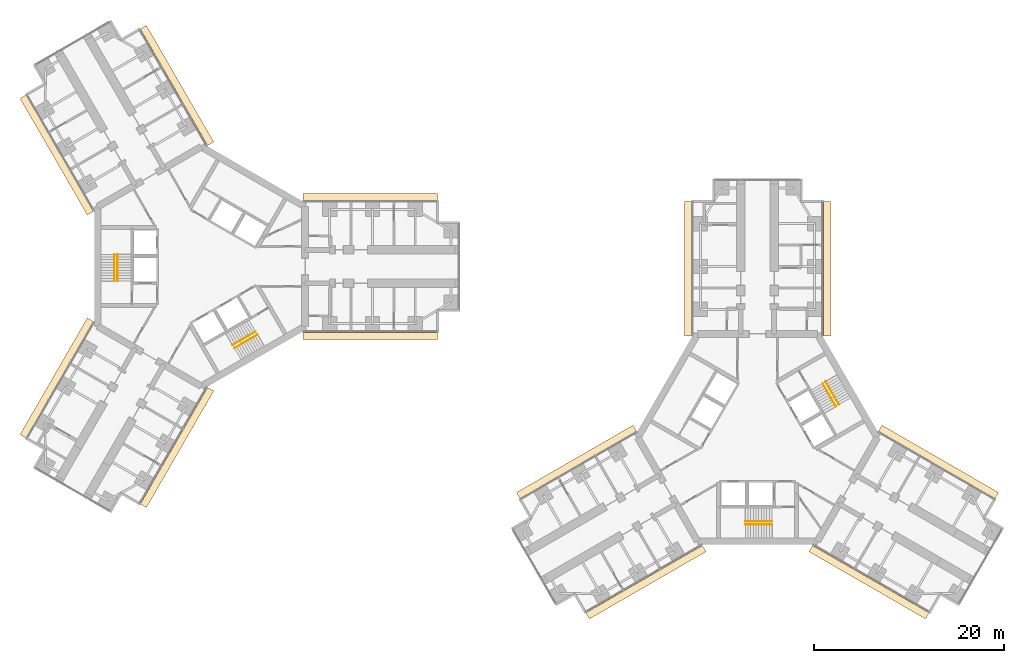
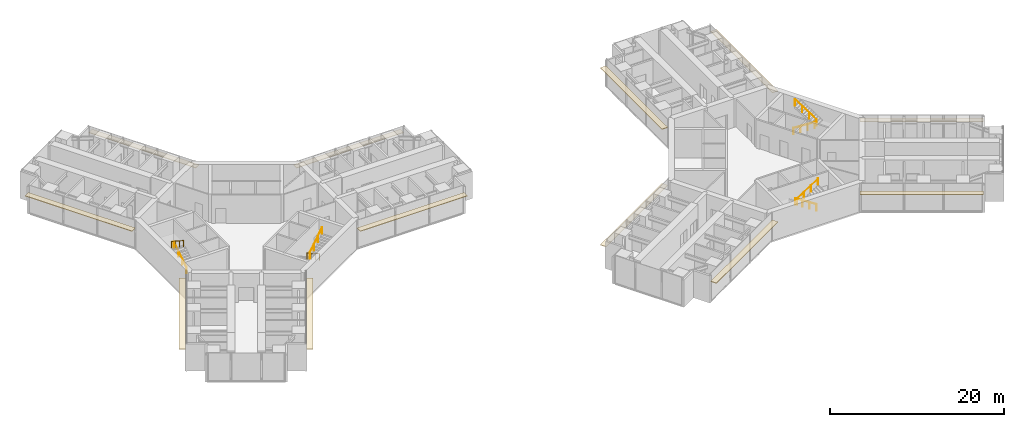
# One storey, part 22 of 22: 12 coverings, 8 railings.
"""IFC4 building model written with IfcOpenShell, lengths in metres."""

from ifc_helpers import new_model, si_unit, direction, frame, origin, origin_2d, place, context, subcontext, project, spatial, rectangle, circle, extrude, material, layer, layer_set, type_object, element, save


model = new_model("IFC4")

# Units and contexts
model_context = context("Model", 3, precision=1e-05, world=origin(), true_north=direction((0.0, 1.0)))
body_context = subcontext(model_context, "Body", "Model", "MODEL_VIEW")
ifc_project = project(units=[si_unit("LENGTHUNIT", "METRE"), si_unit("AREAUNIT", "SQUARE_METRE"), si_unit("VOLUMEUNIT", "CUBIC_METRE"), si_unit("PLANEANGLEUNIT", "RADIAN"), si_unit("MASSUNIT", "GRAM", prefix="KILO")], contexts=[model_context])

# Site, building, storey
site_placement = place(None, origin())
site = spatial("IfcSite", under=ifc_project, at=site_placement, CompositionType="ELEMENT")
building_placement = place(site_placement, origin())
building = spatial("IfcBuilding", under=site, at=building_placement, Name="Upepo Twin Towers", CompositionType="ELEMENT")
storey_placement = place(building_placement, frame((0.0, 0.0, 40.5)))
storey = spatial("IfcBuildingStorey", under=building, at=storey_placement, Name="L09", CompositionType="ELEMENT", Elevation=40.5)

# Coverings
ifc_material_1 = material(Name="Anodised aluminium, pale silver", Category="aluminium")
ifc_layer = layer(ifc_material_1, 0.080078125)
ifc_layer_set = layer_set([ifc_layer], Name="Brise-soleil blade 750 pale aluminium")
covering_type = type_object("IfcCoveringType", Name="Brise-soleil blade 750 pale aluminium", PredefinedType="USERDEFINED", material=ifc_layer_set)
for number, where, z_axis, x_axis, name in (
    (1, (17.7685546875, 7.304931640625, 2.909912109375), (0.0, 0.0, 1.0), (1.0, 0.0, 0.0), "T1 L09 wing A brise-soleil L"),
    (2, (17.7685546875, -7.304931640625, 2.909912109375), (0.0, 0.0, 1.0), (1.0, 0.0, 0.0), "T1 L09 wing A brise-soleil R"),
    (3, (-15.210693359375, 11.735595703125, 2.909912109375), (0.0, 0.0, 1.0), (-0.50000003023, 0.866025386331, 0.0), "T1 L09 wing B brise-soleil L"),
    (4, (-2.557861328125, 19.04052734375, 2.909912109375), (0.0, 0.0, 1.0), (-0.49999996977, 0.866025421238, 0.0), "T1 L09 wing B brise-soleil R"),
    (5, (-2.557861328125, -19.04052734375, 2.909912109375), (0.0, 0.0, 1.0), (-0.49999996977, -0.866025421238, 0.0), "T1 L09 wing C brise-soleil L"),
    (6, (-15.210693359375, -11.735595703125, 2.909912109375), (0.0, 0.0, 1.0), (-0.50000003023, -0.866025386331, 0.0), "T1 L09 wing C brise-soleil R"),
    (7, (51.195068359375, -0.2314453125, 2.909912109375), (0.0, 0.0, 1.0), (0.0, 1.0, 0.0), "T2 L09 wing A brise-soleil L"),
    (8, (65.804931640625, -0.2314453125, 2.909912109375), (0.0, 0.0, 1.0), (0.0, 1.0, 0.0), "T2 L09 wing A brise-soleil R"),
    (9, (46.764404296875, -33.210693359375, 2.909912109375), (0.0, 0.0, 1.0), (-0.866025386331, -0.50000003023, 0.0), "T2 L09 wing B brise-soleil L"),
    (10, (39.45947265625, -20.557861328125, 2.909912109375), (0.0, 0.0, 1.0), (-0.866025421238, -0.49999996977, 0.0), "T2 L09 wing B brise-soleil R"),
    (11, (77.54052734375, -20.557861328125, 2.909912109375), (0.0, 0.0, 1.0), (0.866025421238, -0.49999996977, 0.0), "T2 L09 wing C brise-soleil L"),
    (12, (70.235595703125, -33.210693359375, 2.909912109375), (0.0, 0.0, 1.0), (0.866025386331, -0.50000003023, 0.0), "T2 L09 wing C brise-soleil R"),
):
    element("IfcCovering", number, at=place(storey_placement, frame(where, z_axis=z_axis, x_axis=x_axis)), inside=storey, type_object=covering_type, Name=name, ObjectType="SUNSHADE", PredefinedType="USERDEFINED", context=body_context, shape_type="SweptSolid", body=[
        extrude(rectangle(XDim=14.162841796875, YDim=0.75, at=origin_2d()), origin(), (0.0, 0.0, 1.0), 0.080078125),
    ])

# Railings
ifc_material_2 = material(Name="Stainless steel", Category="steel")
railing_type = type_object("IfcRailingType", Name="Stair handrail 900", PredefinedType="HANDRAIL", material=ifc_material_2)
railing_1_placement = place(storey_placement, frame((-8.800048828125, -1.52001953125, 0.181884765625)))
element("IfcRailing", 13, at=railing_1_placement, inside=storey, type_object=railing_type, Name="T1 stair S1 L09 handrail 1", PredefinedType="HANDRAIL", context=body_context, shape_type="SweptSolid", body=[
    extrude(circle(Radius=0.02392578125, at=origin_2d()), frame((0.0, 0.0, 0.8759765625), z_axis=(0.0, 0.838705829183, 0.544584733623), x_axis=(-1.0, 0.0, 0.0)), (0.0, 0.0, 1.0), 3.338623046875),
    extrude(circle(Radius=0.02099609375, at=origin_2d()), origin(), (0.0, 0.0, 1.0), 0.851806640625),
    extrude(circle(Radius=0.02099609375, at=origin_2d()), frame((0.0, 0.933349609375, 0.60595703125)), (0.0, 0.0, 1.0), 0.851806640625),
    extrude(circle(Radius=0.02099609375, at=origin_2d()), frame((0.0, 1.86669921875, 1.212158203125)), (0.0, 0.0, 1.0), 0.851806640625),
    extrude(circle(Radius=0.02099609375, at=origin_2d()), frame((0.0, 2.800048828125, 1.818115234375)), (0.0, 0.0, 1.0), 0.851806640625),
])
railing_2_placement = place(storey_placement, frame((-9.158447265625, 1.280029296875, 2.181884765625)))
element("IfcRailing", 14, at=railing_2_placement, inside=storey, type_object=railing_type, Name="T1 stair S1 L09 handrail 2", PredefinedType="HANDRAIL", context=body_context, shape_type="SweptSolid", body=[
    extrude(circle(Radius=0.02392578125, at=origin_2d()), frame((0.0, 0.0, 0.8759765625), z_axis=(0.0, -0.838705829183, 0.544584733623), x_axis=(1.0, 0.0, 0.0)), (0.0, 0.0, 1.0), 3.338623046875),
    extrude(circle(Radius=0.02099609375, at=origin_2d()), origin(), (0.0, 0.0, 1.0), 0.851806640625),
    extrude(circle(Radius=0.02099609375, at=origin_2d()), frame((0.0, -0.933349609375, 0.60595703125)), (0.0, 0.0, 1.0), 0.851806640625),
    extrude(circle(Radius=0.02099609375, at=origin_2d()), frame((0.0, -1.86669921875, 1.212158203125)), (0.0, 0.0, 1.0), 0.851806640625),
    extrude(circle(Radius=0.02099609375, at=origin_2d()), frame((0.0, -2.800048828125, 1.818115234375)), (0.0, 0.0, 1.0), 0.851806640625),
])
railing_3_placement = place(storey_placement, frame((5.71630859375, -6.861083984375, 0.181884765625)))
element("IfcRailing", 15, at=railing_3_placement, inside=storey, type_object=railing_type, Name="T1 stair S2 L09 handrail 1", PredefinedType="HANDRAIL", context=body_context, shape_type="SweptSolid", body=[
    extrude(circle(Radius=0.02392578125, at=origin_2d()), frame((0.0, 0.0, 0.8759765625), z_axis=(-0.726336304947, -0.419332699614, 0.544605966869), x_axis=(0.49998411664, -0.866034573852, 0.0)), (0.0, 0.0, 1.0), 3.33837890625),
    extrude(circle(Radius=0.02099609375, at=origin_2d()), origin(), (0.0, 0.0, 1.0), 0.851806640625),
    extrude(circle(Radius=0.02099609375, at=origin_2d()), frame((-0.808349609375, -0.466552734375, 0.60595703125)), (0.0, 0.0, 1.0), 0.851806640625),
    extrude(circle(Radius=0.02099609375, at=origin_2d()), frame((-1.616455078125, -0.933349609375, 1.212158203125)), (0.0, 0.0, 1.0), 0.851806640625),
    extrude(circle(Radius=0.02099609375, at=origin_2d()), frame((-2.4248046875, -1.39990234375, 1.818115234375)), (0.0, 0.0, 1.0), 0.851806640625),
])
railing_4_placement = place(storey_placement, frame((3.470703125, -8.5712890625, 2.181884765625)))
element("IfcRailing", 16, at=railing_4_placement, inside=storey, type_object=railing_type, Name="T1 stair S2 L09 handrail 2", PredefinedType="HANDRAIL", context=body_context, shape_type="SweptSolid", body=[
    extrude(circle(Radius=0.02392578125, at=origin_2d()), frame((0.0, 0.0, 0.8759765625), z_axis=(0.726336304947, 0.419332699614, 0.544605966869), x_axis=(-0.49998411664, 0.866034573852, 0.0)), (0.0, 0.0, 1.0), 3.33837890625),
    extrude(circle(Radius=0.02099609375, at=origin_2d()), origin(), (0.0, 0.0, 1.0), 0.851806640625),
    extrude(circle(Radius=0.02099609375, at=origin_2d()), frame((0.808349609375, 0.466552734375, 0.60595703125)), (0.0, 0.0, 1.0), 0.851806640625),
    extrude(circle(Radius=0.02099609375, at=origin_2d()), frame((1.616455078125, 0.933349609375, 1.212158203125)), (0.0, 0.0, 1.0), 0.851806640625),
    extrude(circle(Radius=0.02099609375, at=origin_2d()), frame((2.4248046875, 1.39990234375, 1.818115234375)), (0.0, 0.0, 1.0), 0.851806640625),
])
railing_5_placement = place(storey_placement, frame((60.02001953125, -26.800048828125, 0.181884765625)))
element("IfcRailing", 17, at=railing_5_placement, inside=storey, type_object=railing_type, Name="T2 stair S1 L09 handrail 1", PredefinedType="HANDRAIL", context=body_context, shape_type="SweptSolid", body=[
    extrude(circle(Radius=0.02392578125, at=origin_2d()), frame((0.0, 0.0, 0.8759765625), z_axis=(-0.838705829183, 0.0, 0.544584733623), x_axis=(0.0, -1.0, 0.0)), (0.0, 0.0, 1.0), 3.338623046875),
    extrude(circle(Radius=0.02099609375, at=origin_2d()), origin(), (0.0, 0.0, 1.0), 0.851806640625),
    extrude(circle(Radius=0.02099609375, at=origin_2d()), frame((-0.933349609375, 0.0, 0.60595703125)), (0.0, 0.0, 1.0), 0.851806640625),
    extrude(circle(Radius=0.02099609375, at=origin_2d()), frame((-1.86669921875, 0.0, 1.212158203125)), (0.0, 0.0, 1.0), 0.851806640625),
    extrude(circle(Radius=0.02099609375, at=origin_2d()), frame((-2.800048828125, 0.0, 1.818115234375)), (0.0, 0.0, 1.0), 0.851806640625),
])
railing_6_placement = place(storey_placement, frame((57.219970703125, -27.158447265625, 2.181884765625)))
element("IfcRailing", 18, at=railing_6_placement, inside=storey, type_object=railing_type, Name="T2 stair S1 L09 handrail 2", PredefinedType="HANDRAIL", context=body_context, shape_type="SweptSolid", body=[
    extrude(circle(Radius=0.02392578125, at=origin_2d()), frame((0.0, 0.0, 0.8759765625), z_axis=(0.838705829183, 0.0, 0.544584733623), x_axis=(0.0, 1.0, 0.0)), (0.0, 0.0, 1.0), 3.338623046875),
    extrude(circle(Radius=0.02099609375, at=origin_2d()), origin(), (0.0, 0.0, 1.0), 0.851806640625),
    extrude(circle(Radius=0.02099609375, at=origin_2d()), frame((0.933349609375, 0.0, 0.60595703125)), (0.0, 0.0, 1.0), 0.851806640625),
    extrude(circle(Radius=0.02099609375, at=origin_2d()), frame((1.86669921875, 0.0, 1.212158203125)), (0.0, 0.0, 1.0), 0.851806640625),
    extrude(circle(Radius=0.02099609375, at=origin_2d()), frame((2.800048828125, 0.0, 1.818115234375)), (0.0, 0.0, 1.0), 0.851806640625),
])
railing_7_placement = place(storey_placement, frame((65.361083984375, -12.28369140625, 0.181884765625)))
element("IfcRailing", 19, at=railing_7_placement, inside=storey, type_object=railing_type, Name="T2 stair S2 L09 handrail 1", PredefinedType="HANDRAIL", context=body_context, shape_type="SweptSolid", body=[
    extrude(circle(Radius=0.02392578125, at=origin_2d()), frame((0.0, 0.0, 0.8759765625), z_axis=(0.419332699614, -0.726336304947, 0.544605966869), x_axis=(0.866034573852, 0.49998411664, 0.0)), (0.0, 0.0, 1.0), 3.33837890625),
    extrude(circle(Radius=0.02099609375, at=origin_2d()), origin(), (0.0, 0.0, 1.0), 0.851806640625),
    extrude(circle(Radius=0.02099609375, at=origin_2d()), frame((0.466552734375, -0.808349609375, 0.60595703125)), (0.0, 0.0, 1.0), 0.851806640625),
    extrude(circle(Radius=0.02099609375, at=origin_2d()), frame((0.933349609375, -1.616455078125, 1.212158203125)), (0.0, 0.0, 1.0), 0.851806640625),
    extrude(circle(Radius=0.02099609375, at=origin_2d()), frame((1.39990234375, -2.4248046875, 1.818115234375)), (0.0, 0.0, 1.0), 0.851806640625),
])
railing_8_placement = place(storey_placement, frame((67.0712890625, -14.529296875, 2.181884765625)))
element("IfcRailing", 20, at=railing_8_placement, inside=storey, type_object=railing_type, Name="T2 stair S2 L09 handrail 2", PredefinedType="HANDRAIL", context=body_context, shape_type="SweptSolid", body=[
    extrude(circle(Radius=0.02392578125, at=origin_2d()), frame((0.0, 0.0, 0.8759765625), z_axis=(-0.419332699614, 0.726336304947, 0.544605966869), x_axis=(-0.866034573852, -0.49998411664, 0.0)), (0.0, 0.0, 1.0), 3.33837890625),
    extrude(circle(Radius=0.02099609375, at=origin_2d()), origin(), (0.0, 0.0, 1.0), 0.851806640625),
    extrude(circle(Radius=0.02099609375, at=origin_2d()), frame((-0.466552734375, 0.808349609375, 0.60595703125)), (0.0, 0.0, 1.0), 0.851806640625),
    extrude(circle(Radius=0.02099609375, at=origin_2d()), frame((-0.933349609375, 1.616455078125, 1.212158203125)), (0.0, 0.0, 1.0), 0.851806640625),
    extrude(circle(Radius=0.02099609375, at=origin_2d()), frame((-1.39990234375, 2.4248046875, 1.818115234375)), (0.0, 0.0, 1.0), 0.851806640625),
])

save(model, "model.ifc")
